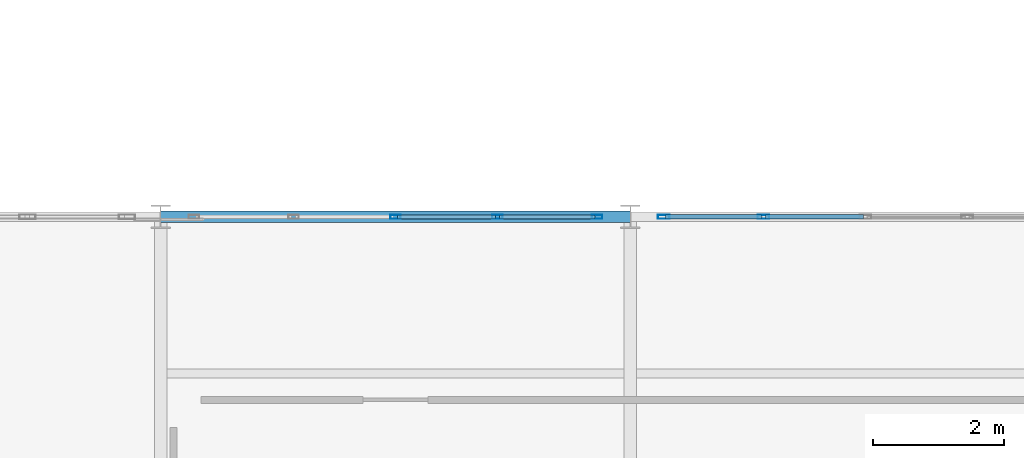
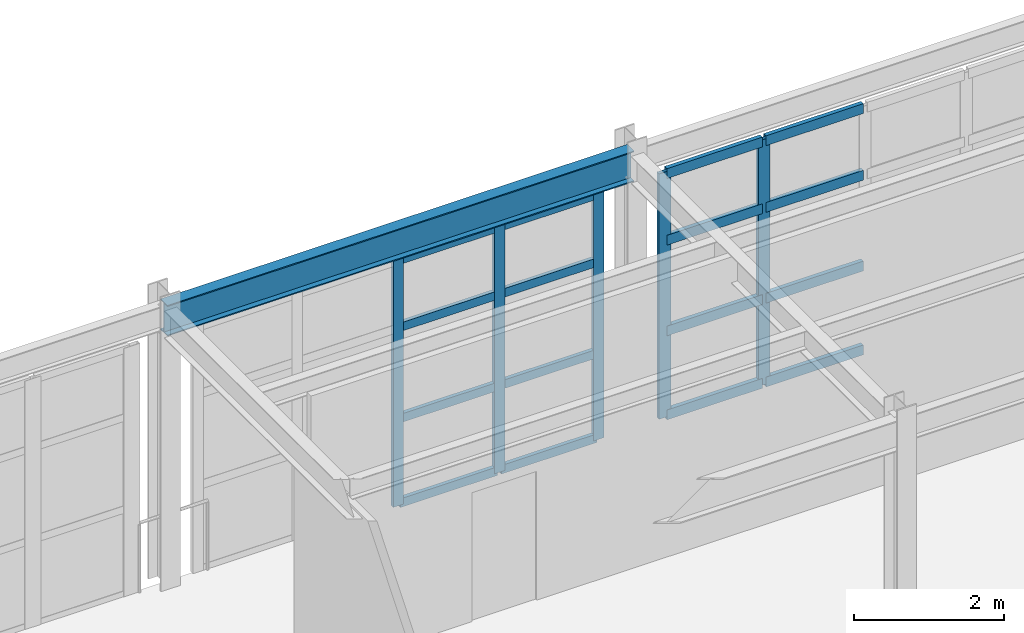
# One storey, part 31 of 126: 21 members, 1 beam, 2 elements without a shape of their own.
"""IFC4 building model written with IfcOpenShell, lengths in metres."""

from ifc_helpers import new_model, si_unit, direction, frame, origin, origin_2d, place, context, subcontext, project, spatial, hollow_rectangle, i_section, extrude, material, layer, layer_set, material_profile, profile_set, type_object, element, aggregate, save


model = new_model("IFC4")

# Units and contexts
model_context = context("Model", 3, precision=1e-05, world=origin(), true_north=direction((0.0, 1.0)))
body_context = subcontext(model_context, "Body", "Model", "MODEL_VIEW")
ifc_project = project(units=[si_unit("LENGTHUNIT", "METRE"), si_unit("AREAUNIT", "SQUARE_METRE"), si_unit("VOLUMEUNIT", "CUBIC_METRE"), si_unit("PLANEANGLEUNIT", "RADIAN"), si_unit("MASSUNIT", "GRAM", prefix="KILO")], contexts=[model_context])

# Site, building, storey
site_placement = place(None, origin())
site = spatial("IfcSite", under=ifc_project, at=site_placement, CompositionType="ELEMENT")
building_placement = place(site_placement, origin())
building = spatial("IfcBuilding", under=site, at=building_placement, Name="Solvadek Multi-Sports Hall", CompositionType="ELEMENT")
storey_placement = place(building_placement, frame((0.0, 0.0, 9.60009765625)))
storey = spatial("IfcBuildingStorey", under=building, at=storey_placement, Name="L02", CompositionType="ELEMENT", Elevation=9.60009765625)

# Curtain wall, members
ifc_material_1 = material(Name="Anodised aluminium", Category="aluminium")
ifc_layer_1 = layer(ifc_material_1, 0.159912109375, Name="Anodised aluminium")
ifc_layer_set_1 = layer_set([ifc_layer_1], Name="Anodised aluminium")
curtain_wall_type_1 = type_object("IfcCurtainWallType", Name="ENV-CW-624X403", PredefinedType="USERDEFINED", material=ifc_layer_set_1)
curtain_wall_1_placement = place(storey_placement, origin())
curtain_wall_1 = element("IfcCurtainWall", 1, at=curtain_wall_1_placement, inside=storey, type_object=curtain_wall_type_1, Name="L02 Perimeter Bay Curtain Wall #165", ObjectType="CURTAIN WALL", PredefinedType="USERDEFINED")
ifc_material_profile_1 = material_profile(ifc_material_1, hollow_rectangle(XDim=0.06005859375, YDim=0.159912109375, WallThickness=0.00390625, at=origin_2d()), Name="ALU-M 160x60x4")
ifc_profile_set_1 = profile_set([ifc_material_profile_1], Name="Anodised aluminium")
member_type_1 = type_object("IfcMemberType", Name="ENV-CWM-01", PredefinedType="MULLION", material=ifc_profile_set_1)
member_1_placement = place(storey_placement, frame((39.60009765625, 20.39990234375, 0.0), z_axis=(0.0, 0.0, 1.0), x_axis=(0.0, 1.0, 0.0)))
member_1 = element("IfcMember", 2, at=member_1_placement, type_object=member_type_1, Name="CW-43 mullion 3", PredefinedType="MULLION", context=body_context, shape_type="SweptSolid", body=[
    extrude(hollow_rectangle(XDim=0.06005859375, YDim=0.159912109375, WallThickness=0.00390625, at=origin_2d()), origin(), (0.0, 0.0, 1.0), 4.02490234375),
])
member_2_placement = place(storey_placement, frame((41.159912109375, 20.39990234375, 0.0), z_axis=(0.0, 0.0, 1.0), x_axis=(0.0, 1.0, 0.0)))
member_2 = element("IfcMember", 3, at=member_2_placement, type_object=member_type_1, Name="CW-43 mullion 4", PredefinedType="MULLION", context=body_context, shape_type="SweptSolid", body=[
    extrude(hollow_rectangle(XDim=0.06005859375, YDim=0.159912109375, WallThickness=0.00390625, at=origin_2d()), origin(), (0.0, 0.0, 1.0), 4.02490234375),
])
member_3_placement = place(storey_placement, frame((42.68994140625, 20.39990234375, 0.0), z_axis=(0.0, 0.0, 1.0), x_axis=(0.0, 1.0, 0.0)))
member_3 = element("IfcMember", 4, at=member_3_placement, type_object=member_type_1, Name="CW-43 mullion 5", PredefinedType="MULLION", context=body_context, shape_type="SweptSolid", body=[
    extrude(hollow_rectangle(XDim=0.06005859375, YDim=0.159912109375, WallThickness=0.00390625, at=origin_2d()), origin(), (0.0, 0.0, 1.0), 4.02490234375),
])

ifc_layer_2 = layer(ifc_material_1, 0.159912109375, Name="Anodised aluminium")
ifc_layer_set_2 = layer_set([ifc_layer_2], Name="Anodised aluminium")
curtain_wall_type_2 = type_object("IfcCurtainWallType", Name="ENV-CW-624X400", PredefinedType="USERDEFINED", material=ifc_layer_set_2)
curtain_wall_2_placement = place(storey_placement, origin())
curtain_wall_2 = element("IfcCurtainWall", 5, at=curtain_wall_2_placement, inside=storey, type_object=curtain_wall_type_2, Name="L02 Perimeter Bay Curtain Wall #170", ObjectType="CURTAIN WALL", PredefinedType="USERDEFINED")
ifc_material_profile_2 = material_profile(ifc_material_1, hollow_rectangle(XDim=0.06005859375, YDim=0.179931640625, WallThickness=0.00390625, at=origin_2d()), Name="ALU-M 180x60x4")
ifc_profile_set_2 = profile_set([ifc_material_profile_2], Name="Anodised aluminium")
member_type_2 = type_object("IfcMemberType", Name="ENV-CWM-02", PredefinedType="MULLION", material=ifc_profile_set_2)
member_4_placement = place(storey_placement, frame((43.7099609375, 20.39990234375, 0.0), z_axis=(0.0, 0.0, 1.0), x_axis=(0.0, 1.0, 0.0)))
member_4 = element("IfcMember", 6, at=member_4_placement, type_object=member_type_2, Name="CW-56 mullion 1", PredefinedType="MULLION", context=body_context, shape_type="SweptSolid", body=[
    extrude(hollow_rectangle(XDim=0.06005859375, YDim=0.179931640625, WallThickness=0.00390625, at=origin_2d()), origin(), (0.0, 0.0, 1.0), 4.0),
])
member_5_placement = place(storey_placement, frame((45.239990234375, 20.39990234375, 0.0), z_axis=(0.0, 0.0, 1.0), x_axis=(0.0, 1.0, 0.0)))
member_5 = element("IfcMember", 7, at=member_5_placement, type_object=member_type_2, Name="CW-56 mullion 2", PredefinedType="MULLION", context=body_context, shape_type="SweptSolid", body=[
    extrude(hollow_rectangle(XDim=0.06005859375, YDim=0.179931640625, WallThickness=0.00390625, at=origin_2d()), origin(), (0.0, 0.0, 1.0), 4.0),
])

# Member
ifc_material_profile_3 = material_profile(ifc_material_1, hollow_rectangle(XDim=0.06005859375, YDim=0.139892578125, WallThickness=0.00390625, at=origin_2d()), Name="ALU-T 140x60x4")
ifc_profile_set_3 = profile_set([ifc_material_profile_3], Name="Anodised aluminium")
member_type_3 = type_object("IfcMemberType", Name="ENV-CWT-02", PredefinedType="USERDEFINED", material=ifc_profile_set_3)
member_6_placement = place(storey_placement, frame((39.6298828125, 20.39990234375, 0.02978515625), z_axis=(1.0, 0.0, 0.0), x_axis=(0.0, 1.0, 0.0)))
member_6 = element("IfcMember", 8, at=member_6_placement, type_object=member_type_3, Name="CW-43 transom 3.1", ObjectType="TRANSOM", PredefinedType="USERDEFINED", context=body_context, shape_type="SweptSolid", body=[
    extrude(hollow_rectangle(XDim=0.06005859375, YDim=0.139892578125, WallThickness=0.00390625, at=origin_2d()), origin(), (0.0, 0.0, 1.0), 1.5),
])

member_7_placement = place(storey_placement, frame((39.6298828125, 20.39990234375, 1.408935546875), z_axis=(1.0, 0.0, 0.0), x_axis=(0.0, 1.0, 0.0)))
member_7 = element("IfcMember", 9, at=member_7_placement, type_object=member_type_3, Name="CW-43 transom 3.2", ObjectType="TRANSOM", PredefinedType="USERDEFINED", context=body_context, shape_type="SweptSolid", body=[
    extrude(hollow_rectangle(XDim=0.06005859375, YDim=0.139892578125, WallThickness=0.00390625, at=origin_2d()), origin(), (0.0, 0.0, 1.0), 1.5),
])

member_8_placement = place(storey_placement, frame((39.6298828125, 20.39990234375, 2.89794921875), z_axis=(1.0, 0.0, 0.0), x_axis=(0.0, 1.0, 0.0)))
member_8 = element("IfcMember", 10, at=member_8_placement, type_object=member_type_3, Name="CW-43 transom 3.3", ObjectType="TRANSOM", PredefinedType="USERDEFINED", context=body_context, shape_type="SweptSolid", body=[
    extrude(hollow_rectangle(XDim=0.06005859375, YDim=0.139892578125, WallThickness=0.00390625, at=origin_2d()), origin(), (0.0, 0.0, 1.0), 1.5),
])

member_9_placement = place(storey_placement, frame((39.6298828125, 20.39990234375, 3.994873046875), z_axis=(1.0, 0.0, 0.0), x_axis=(0.0, 1.0, 0.0)))
member_9 = element("IfcMember", 11, at=member_9_placement, type_object=member_type_3, Name="CW-43 transom 3.4", ObjectType="TRANSOM", PredefinedType="USERDEFINED", context=body_context, shape_type="SweptSolid", body=[
    extrude(hollow_rectangle(XDim=0.06005859375, YDim=0.139892578125, WallThickness=0.00390625, at=origin_2d()), origin(), (0.0, 0.0, 1.0), 1.5),
])

member_10_placement = place(storey_placement, frame((41.18994140625, 20.39990234375, 0.02978515625), z_axis=(1.0, 0.0, 0.0), x_axis=(0.0, 1.0, 0.0)))
member_10 = element("IfcMember", 12, at=member_10_placement, type_object=member_type_3, Name="CW-43 transom 4.1", ObjectType="TRANSOM", PredefinedType="USERDEFINED", context=body_context, shape_type="SweptSolid", body=[
    extrude(hollow_rectangle(XDim=0.06005859375, YDim=0.139892578125, WallThickness=0.00390625, at=origin_2d()), origin(), (0.0, 0.0, 1.0), 1.469970703125),
])

member_11_placement = place(storey_placement, frame((41.18994140625, 20.39990234375, 1.408935546875), z_axis=(1.0, 0.0, 0.0), x_axis=(0.0, 1.0, 0.0)))
member_11 = element("IfcMember", 13, at=member_11_placement, type_object=member_type_3, Name="CW-43 transom 4.2", ObjectType="TRANSOM", PredefinedType="USERDEFINED", context=body_context, shape_type="SweptSolid", body=[
    extrude(hollow_rectangle(XDim=0.06005859375, YDim=0.139892578125, WallThickness=0.00390625, at=origin_2d()), origin(), (0.0, 0.0, 1.0), 1.469970703125),
])

member_12_placement = place(storey_placement, frame((41.18994140625, 20.39990234375, 2.89794921875), z_axis=(1.0, 0.0, 0.0), x_axis=(0.0, 1.0, 0.0)))
member_12 = element("IfcMember", 14, at=member_12_placement, type_object=member_type_3, Name="CW-43 transom 4.3", ObjectType="TRANSOM", PredefinedType="USERDEFINED", context=body_context, shape_type="SweptSolid", body=[
    extrude(hollow_rectangle(XDim=0.06005859375, YDim=0.139892578125, WallThickness=0.00390625, at=origin_2d()), origin(), (0.0, 0.0, 1.0), 1.469970703125),
])

member_13_placement = place(storey_placement, frame((41.18994140625, 20.39990234375, 3.994873046875), z_axis=(1.0, 0.0, 0.0), x_axis=(0.0, 1.0, 0.0)))
member_13 = element("IfcMember", 15, at=member_13_placement, type_object=member_type_3, Name="CW-43 transom 4.4", ObjectType="TRANSOM", PredefinedType="USERDEFINED", context=body_context, shape_type="SweptSolid", body=[
    extrude(hollow_rectangle(XDim=0.06005859375, YDim=0.139892578125, WallThickness=0.00390625, at=origin_2d()), origin(), (0.0, 0.0, 1.0), 1.469970703125),
])

aggregate(curtain_wall_1, [member_1, member_2, member_3, member_6, member_7, member_8, member_9, member_10, member_11, member_12, member_13])

ifc_material_profile_4 = material_profile(ifc_material_1, hollow_rectangle(XDim=0.06494140625, YDim=0.159912109375, WallThickness=0.00390625, at=origin_2d()), Name="ALU-T 160x65x4")
ifc_profile_set_4 = profile_set([ifc_material_profile_4], Name="Anodised aluminium")
member_type_4 = type_object("IfcMemberType", Name="ENV-CWT-03", PredefinedType="USERDEFINED", material=ifc_profile_set_4)
member_14_placement = place(storey_placement, frame((43.739990234375, 20.39990234375, 0.032470703125), z_axis=(1.0, 0.0, 0.0), x_axis=(0.0, 1.0, 0.0)))
member_14 = element("IfcMember", 16, at=member_14_placement, type_object=member_type_4, Name="CW-56 transom 1.1", ObjectType="TRANSOM", PredefinedType="USERDEFINED", context=body_context, shape_type="SweptSolid", body=[
    extrude(hollow_rectangle(XDim=0.06494140625, YDim=0.159912109375, WallThickness=0.00390625, at=origin_2d()), origin(), (0.0, 0.0, 1.0), 1.469970703125),
])

member_15_placement = place(storey_placement, frame((43.739990234375, 20.39990234375, 1.39990234375), z_axis=(1.0, 0.0, 0.0), x_axis=(0.0, 1.0, 0.0)))
member_15 = element("IfcMember", 17, at=member_15_placement, type_object=member_type_4, Name="CW-56 transom 1.2", ObjectType="TRANSOM", PredefinedType="USERDEFINED", context=body_context, shape_type="SweptSolid", body=[
    extrude(hollow_rectangle(XDim=0.06494140625, YDim=0.159912109375, WallThickness=0.00390625, at=origin_2d()), origin(), (0.0, 0.0, 1.0), 1.469970703125),
])

member_16_placement = place(storey_placement, frame((43.739990234375, 20.39990234375, 2.8798828125), z_axis=(1.0, 0.0, 0.0), x_axis=(0.0, 1.0, 0.0)))
member_16 = element("IfcMember", 18, at=member_16_placement, type_object=member_type_4, Name="CW-56 transom 1.3", ObjectType="TRANSOM", PredefinedType="USERDEFINED", context=body_context, shape_type="SweptSolid", body=[
    extrude(hollow_rectangle(XDim=0.06494140625, YDim=0.159912109375, WallThickness=0.00390625, at=origin_2d()), origin(), (0.0, 0.0, 1.0), 1.469970703125),
])

member_17_placement = place(storey_placement, frame((43.739990234375, 20.39990234375, 3.96728515625), z_axis=(1.0, 0.0, 0.0), x_axis=(0.0, 1.0, 0.0)))
member_17 = element("IfcMember", 19, at=member_17_placement, type_object=member_type_4, Name="CW-56 transom 1.4", ObjectType="TRANSOM", PredefinedType="USERDEFINED", context=body_context, shape_type="SweptSolid", body=[
    extrude(hollow_rectangle(XDim=0.06494140625, YDim=0.159912109375, WallThickness=0.00390625, at=origin_2d()), origin(), (0.0, 0.0, 1.0), 1.469970703125),
])

member_18_placement = place(storey_placement, frame((45.27001953125, 20.39990234375, 0.032470703125), z_axis=(1.0, 0.0, 0.0), x_axis=(0.0, 1.0, 0.0)))
member_18 = element("IfcMember", 20, at=member_18_placement, type_object=member_type_4, Name="CW-56 transom 2.1", ObjectType="TRANSOM", PredefinedType="USERDEFINED", context=body_context, shape_type="SweptSolid", body=[
    extrude(hollow_rectangle(XDim=0.06494140625, YDim=0.159912109375, WallThickness=0.00390625, at=origin_2d()), origin(), (0.0, 0.0, 1.0), 1.5),
])

member_19_placement = place(storey_placement, frame((45.27001953125, 20.39990234375, 1.39990234375), z_axis=(1.0, 0.0, 0.0), x_axis=(0.0, 1.0, 0.0)))
member_19 = element("IfcMember", 21, at=member_19_placement, type_object=member_type_4, Name="CW-56 transom 2.2", ObjectType="TRANSOM", PredefinedType="USERDEFINED", context=body_context, shape_type="SweptSolid", body=[
    extrude(hollow_rectangle(XDim=0.06494140625, YDim=0.159912109375, WallThickness=0.00390625, at=origin_2d()), origin(), (0.0, 0.0, 1.0), 1.5),
])

member_20_placement = place(storey_placement, frame((45.27001953125, 20.39990234375, 2.8798828125), z_axis=(1.0, 0.0, 0.0), x_axis=(0.0, 1.0, 0.0)))
member_20 = element("IfcMember", 22, at=member_20_placement, type_object=member_type_4, Name="CW-56 transom 2.3", ObjectType="TRANSOM", PredefinedType="USERDEFINED", context=body_context, shape_type="SweptSolid", body=[
    extrude(hollow_rectangle(XDim=0.06494140625, YDim=0.159912109375, WallThickness=0.00390625, at=origin_2d()), origin(), (0.0, 0.0, 1.0), 1.5),
])

member_21_placement = place(storey_placement, frame((45.27001953125, 20.39990234375, 3.96728515625), z_axis=(1.0, 0.0, 0.0), x_axis=(0.0, 1.0, 0.0)))
member_21 = element("IfcMember", 23, at=member_21_placement, type_object=member_type_4, Name="CW-56 transom 2.4", ObjectType="TRANSOM", PredefinedType="USERDEFINED", context=body_context, shape_type="SweptSolid", body=[
    extrude(hollow_rectangle(XDim=0.06494140625, YDim=0.159912109375, WallThickness=0.00390625, at=origin_2d()), origin(), (0.0, 0.0, 1.0), 1.5),
])

aggregate(curtain_wall_2, [member_4, member_5, member_14, member_15, member_16, member_17, member_18, member_19, member_20, member_21])

# Beam
ifc_material_2 = material(Name="Steel E350 (350 MPa)", Category="steel")
ifc_material_profile_5 = material_profile(ifc_material_2, i_section(OverallWidth=0.179931640625, OverallDepth=0.5, WebThickness=0.01025390625, FlangeThickness=0.01708984375, at=origin_2d()), Name="ISMB 500")
ifc_profile_set_5 = profile_set([ifc_material_profile_5], Name="Steel E350 (350 MPa)")
beam_type = type_object("IfcBeamType", Name="STR-BM-ISMB500", PredefinedType="BEAM", material=ifc_profile_set_5)
beam_placement = place(storey_placement, frame((36.0, 20.39990234375, 4.309814453125), z_axis=(1.0, 0.0, 0.0), x_axis=(0.0, 1.0, 0.0)))
element("IfcBeam", 24, at=beam_placement, inside=storey, type_object=beam_type, Name="L02 Girder B-07 #1331", PredefinedType="BEAM", context=body_context, shape_type="SweptSolid", body=[
    extrude(i_section(OverallWidth=0.179931640625, OverallDepth=0.5, WebThickness=0.01025390625, FlangeThickness=0.01708984375, at=origin_2d()), origin(), (0.0, 0.0, 1.0), 7.199951171875),
])

save(model, "model.ifc")
